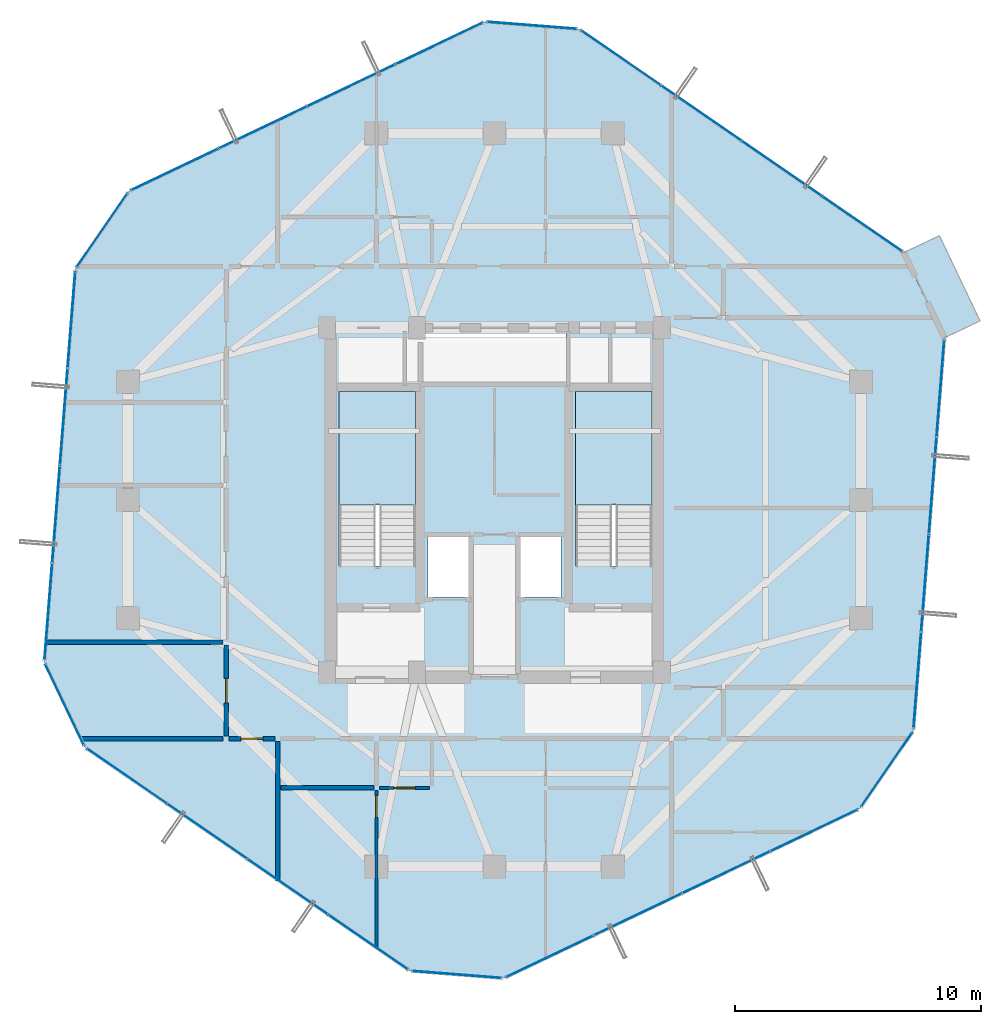
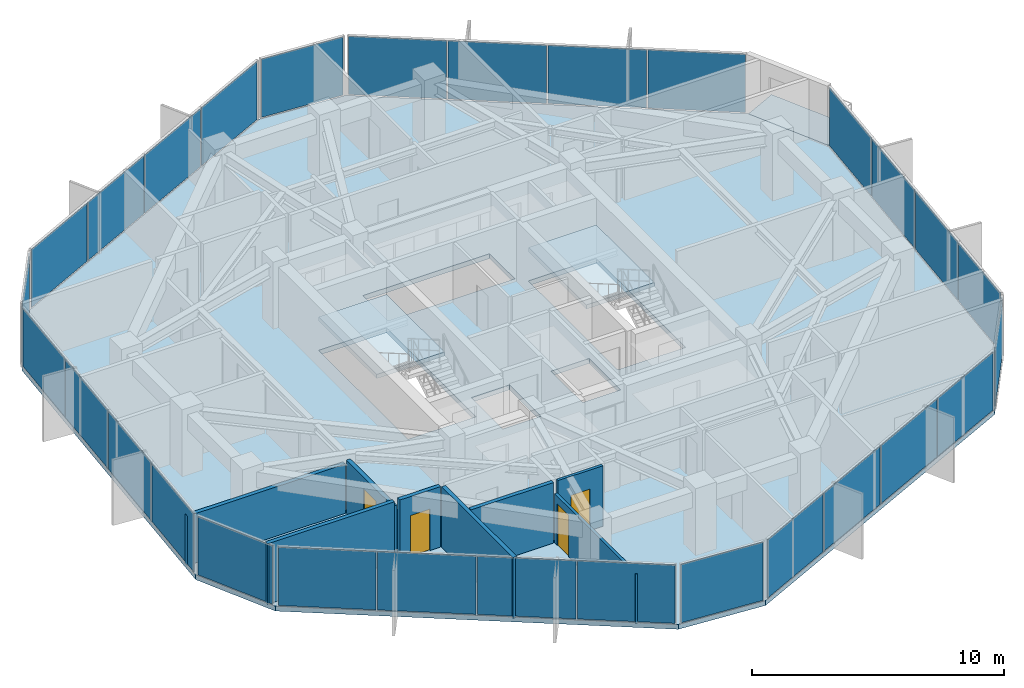
# One storey, part 24 of 29: 29 plates, 8 walls, 4 doors, 4 slabs, 4 openings, 13 elements without a shape of their own.
"""IFC4 building model written with IfcOpenShell, lengths in metres."""

from ifc_helpers import new_model, si_unit, direction, frame, frame_2d, origin, origin_2d, place, context, subcontext, project, spatial, polyline, rectangle, outline, extrude, source, transform, mapped, material, layer, layer_set, type_object, element, fill, aggregate, save


model = new_model("IFC4")

# Units and contexts
model_context = context("Model", 3, precision=1e-05, world=origin(), true_north=direction((0.0, 1.0)))
body_context = subcontext(model_context, "Body", "Model", "MODEL_VIEW")
ifc_project = project(units=[si_unit("LENGTHUNIT", "METRE"), si_unit("AREAUNIT", "SQUARE_METRE"), si_unit("VOLUMEUNIT", "CUBIC_METRE"), si_unit("PLANEANGLEUNIT", "RADIAN"), si_unit("MASSUNIT", "GRAM", prefix="KILO")], contexts=[model_context])

# Site, building, storey
site_placement = place(None, origin())
site = spatial("IfcSite", under=ifc_project, at=site_placement, CompositionType="ELEMENT")
building_placement = place(site_placement, origin())
building = spatial("IfcBuilding", under=site, at=building_placement, Name="Veraguas Prism Commons", CompositionType="ELEMENT")
storey_placement = place(building_placement, frame((0.0, 0.0, 222.14990234375)))
storey = spatial("IfcBuildingStorey", under=building, at=storey_placement, Name="L63", CompositionType="ELEMENT", Elevation=222.14990234375)

# Stair, slab
ifc_material_1 = material(Name="Precast concrete C45/55", Category="concrete")
stair_type = type_object("IfcStairType", Name="Dogleg Core Stair 1480W 20R 05", PredefinedType="HALF_TURN_STAIR", material=ifc_material_1)
stair_1_placement = place(storey_placement, origin())
stair_1 = element("IfcStair", 1, at=stair_1_placement, inside=storey, type_object=stair_type, Name="Protected Exit Stair ST-01 L63", PredefinedType="HALF_TURN_STAIR")
ifc_layer_1 = layer(ifc_material_1, 0.199951171875, Name="Precast Stair and Ramp Landing Slab 200", Category="concrete")
ifc_layer_set_1 = layer_set([ifc_layer_1], Name="Precast concrete C45/55")
slab_type_1 = type_object("IfcSlabType", Name="Precast Stair and Ramp Landing Slab 200", PredefinedType="LANDING", material=ifc_layer_set_1)
slab_1_placement = place(storey_placement, frame((0.0, 0.0, 1.425048828125)))
slab_1 = element("IfcSlab", 2, at=slab_1_placement, type_object=slab_type_1, Name="ST-05 Landing 1", PredefinedType="LANDING", context=body_context, shape_type="SweptSolid", body=[
    extrude(outline(polyline([(20.800048828125, 23.800048828125), (20.800048828125, 28.39990234375), (17.68994140625, 28.39990234375), (17.68994140625, 23.800048828125), (20.800048828125, 23.800048828125)])), origin(), (0.0, 0.0, 1.0), 0.199951171875),
])
aggregate(stair_1, [slab_1])

stair_2_placement = place(storey_placement, origin())
stair_2 = element("IfcStair", 3, at=stair_2_placement, inside=storey, type_object=stair_type, Name="Protected Exit Stair ST-02 L63", PredefinedType="HALF_TURN_STAIR")
slab_2_placement = place(storey_placement, frame((0.0, 0.0, 1.425048828125)))
slab_2 = element("IfcSlab", 4, at=slab_2_placement, type_object=slab_type_1, Name="ST-05 Landing 1", PredefinedType="LANDING", context=body_context, shape_type="SweptSolid", body=[
    extrude(outline(polyline([(30.39990234375, 23.800048828125), (30.39990234375, 28.39990234375), (27.2900390625, 28.39990234375), (27.2900390625, 23.800048828125), (30.39990234375, 23.800048828125)])), origin(), (0.0, 0.0, 1.0), 0.199951171875),
])
aggregate(stair_2, [slab_2])

# Slabs
ifc_material_2 = material(Name="Concrete C45/55", Category="concrete")
ifc_layer_2 = layer(ifc_material_2, 0.219970703125, Name="Recessed Loggia and Terrace Slab RC 220", Category="concrete")
ifc_layer_set_2 = layer_set([ifc_layer_2], Name="Concrete C45/55")
slab_type_2 = type_object("IfcSlabType", Name="Recessed Loggia and Terrace Slab RC 220", PredefinedType="FLOOR", material=ifc_layer_set_2)
slab_3_placement = place(storey_placement, frame((0.0, 0.0, -0.219970703125)))
element("IfcSlab", 5, at=slab_3_placement, inside=storey, type_object=slab_type_2, Name="Recessed Corner Loggia L63-C1", PredefinedType="FLOOR", context=body_context, shape_type="SweptSolid", body=[
    extrude(outline(polyline([(42.268310546875, 30.58203125), (43.73095703125, 31.27880859375), (42.081298828125, 34.740234375), (40.618896484375, 34.04345703125), (42.268310546875, 30.58203125)])), origin(), (0.0, 0.0, 1.0), 0.219970703125),
])
ifc_layer_3 = layer(ifc_material_2, 0.235107421875, Name="Tower Upper Residential Floor Slab RC 235", Category="concrete")
ifc_layer_set_3 = layer_set([ifc_layer_3], Name="Concrete C45/55")
slab_type_3 = type_object("IfcSlabType", Name="Tower Upper Residential Floor Slab RC 235", PredefinedType="FLOOR", material=ifc_layer_set_3)
slab_4_placement = place(storey_placement, frame((0.0, 0.0, -0.23486328125)))
element("IfcSlab", 6, at=slab_4_placement, inside=storey, type_object=slab_type_3, Name="Tower Floor Slab L63", PredefinedType="FLOOR", context=body_context, shape_type="SweptSolid", body=[
    extrude(outline(polyline([(42.28662109375, 30.590576171875), (40.636962890625, 34.052001953125), (27.435546875, 43.1318359375), (23.613037109375, 43.43408203125), (9.149169921875, 36.541259765625), (6.976318359375, 33.382080078125), (5.71337890625, 17.409423828125), (7.363037109375, 13.947998046875), (20.564453125, 4.8681640625), (24.386962890625, 4.56591796875), (38.850830078125, 11.458740234375), (41.023681640625, 14.617919921875), (42.28662109375, 30.590576171875)]), holes=[polyline([(20.800048828125, 21.31005859375), (20.800048828125, 28.39990234375), (17.68994140625, 28.39990234375), (17.68994140625, 21.31005859375), (20.800048828125, 21.31005859375)]), polyline([(30.39990234375, 21.31005859375), (30.39990234375, 28.39990234375), (27.2900390625, 28.39990234375), (27.2900390625, 21.31005859375), (30.39990234375, 21.31005859375)]), polyline([(21.10009765625, 28.800048828125), (26.89990234375, 28.800048828125), (26.89990234375, 30.800048828125), (21.10009765625, 30.800048828125), (21.10009765625, 28.800048828125)]), polyline([(21.300048828125, 20.050048828125), (23.050048828125, 20.050048828125), (23.050048828125, 22.550048828125), (21.300048828125, 22.550048828125), (21.300048828125, 20.050048828125)]), polyline([(24.949951171875, 20.050048828125), (26.699951171875, 20.050048828125), (26.699951171875, 22.550048828125), (24.949951171875, 22.550048828125), (24.949951171875, 20.050048828125)])]), origin(), (0.0, 0.0, 1.0), 0.23486328125),
])

# Curtain wall, plates
ifc_material_3 = material(Name="Anodised aluminium EN AW-6063 T6", Category="aluminium")
ifc_layer_4 = layer(ifc_material_3, 0.14990234375, Name="Unitised Flush Curtain Wall Zone 3", Category="aluminium")
ifc_layer_set_4 = layer_set([ifc_layer_4], Name="Anodised aluminium EN AW-6063 T6")
curtain_wall_type = type_object("IfcCurtainWallType", Name="Unitised Flush Curtain Wall Zone 3", PredefinedType="NOTDEFINED", material=ifc_layer_set_4)
curtain_wall_1_placement = place(storey_placement, origin())
curtain_wall_1 = element("IfcCurtainWall", 7, at=curtain_wall_1_placement, inside=storey, type_object=curtain_wall_type, Name="Tower Facade Curtain Wall L63-F1", PredefinedType="NOTDEFINED")
ifc_material_4 = material(Name="Laminated low-e glass", Category="glass")
ifc_layer_5 = layer(ifc_material_4, 0.028076171875, Name="Unitised Double Low-E Glazed Panel 28", Category="glass")
ifc_layer_set_5 = layer_set([ifc_layer_5], Name="Laminated low-e glass")
plate_type = type_object("IfcPlateType", Name="Unitised Double Low-E Glazed Panel 28", PredefinedType="CURTAIN_PANEL", material=ifc_layer_set_5)
shared_shape_1 = source(origin(), body_context, "Body", "SweptSolid", [
    extrude(rectangle(XDim=3.8857421875, YDim=0.028076171875, at=origin_2d()), origin(), (0.0, 0.0, 1.0), 2.820068359375),
])
plate_1_placement = place(storey_placement, frame((38.937255859375, 35.220947265625, 0.05517578125), z_axis=(0.0, 0.0, 1.0), x_axis=(-0.823926447203, 0.56669675277, 0.0)))
plate_1 = element("IfcPlate", 8, at=plate_1_placement, type_object=plate_type, Name="CW-Z3 Panel 1.1", PredefinedType="CURTAIN_PANEL", context=body_context, shape_type="MappedRepresentation", body=[
    mapped(shared_shape_1, transform((0.0, 0.0, 0.0), scale=1.0)),
])
plate_2_placement = place(storey_placement, frame((29.13525390625, 41.962890625, 0.05517578125), z_axis=(0.0, 0.0, 1.0), x_axis=(-0.823926447203, 0.56669675277, 0.0)))
plate_2 = element("IfcPlate", 9, at=plate_2_placement, type_object=plate_type, Name="CW-Z3 Panel 4.1", PredefinedType="CURTAIN_PANEL", context=body_context, shape_type="MappedRepresentation", body=[
    mapped(shared_shape_1, transform((0.0, 0.0, 0.0), scale=1.0)),
])

curtain_wall_2_placement = place(storey_placement, origin())
curtain_wall_2 = element("IfcCurtainWall", 10, at=curtain_wall_2_placement, inside=storey, type_object=curtain_wall_type, Name="Tower Facade Curtain Wall L63-F4", PredefinedType="NOTDEFINED")
plate_3_placement = place(storey_placement, frame((9.062744140625, 12.779052734375, 0.05517578125), z_axis=(0.0, 0.0, 1.0), x_axis=(0.823926447203, -0.56669675277, 0.0)))
plate_3 = element("IfcPlate", 11, at=plate_3_placement, type_object=plate_type, Name="CW-Z3 Panel 1.1", PredefinedType="CURTAIN_PANEL", context=body_context, shape_type="MappedRepresentation", body=[
    mapped(shared_shape_1, transform((0.0, 0.0, 0.0), scale=1.0)),
])
plate_4_placement = place(storey_placement, frame((18.86474609375, 6.037109375, 0.05517578125), z_axis=(0.0, 0.0, 1.0), x_axis=(0.823926447203, -0.56669675277, 0.0)))
plate_4 = element("IfcPlate", 12, at=plate_4_placement, type_object=plate_type, Name="CW-Z3 Panel 4.1", PredefinedType="CURTAIN_PANEL", context=body_context, shape_type="MappedRepresentation", body=[
    mapped(shared_shape_1, transform((0.0, 0.0, 0.0), scale=1.0)),
])

# Plate
shared_shape_2 = source(origin(), body_context, "Body", "SweptSolid", [
    extrude(rectangle(XDim=3.91552734375, YDim=0.028076171875, at=origin_2d()), origin(), (0.0, 0.0, 1.0), 2.820068359375),
])
plate_5_placement = place(storey_placement, frame((35.674072265625, 37.465576171875, 0.05517578125), z_axis=(0.0, 0.0, 1.0), x_axis=(-0.823926447203, 0.56669675277, 0.0)))
plate_5 = element("IfcPlate", 13, at=plate_5_placement, type_object=plate_type, Name="CW-Z3 Panel 2.1", PredefinedType="CURTAIN_PANEL", context=body_context, shape_type="MappedRepresentation", body=[
    mapped(shared_shape_2, transform((0.0, 0.0, 0.0), scale=1.0)),
])

plate_6_placement = place(storey_placement, frame((32.3984375, 39.718505859375, 0.05517578125), z_axis=(0.0, 0.0, 1.0), x_axis=(-0.823926447203, 0.56669675277, 0.0)))
plate_6 = element("IfcPlate", 14, at=plate_6_placement, type_object=plate_type, Name="CW-Z3 Panel 3.1", PredefinedType="CURTAIN_PANEL", context=body_context, shape_type="MappedRepresentation", body=[
    mapped(shared_shape_2, transform((0.0, 0.0, 0.0), scale=1.0)),
])

aggregate(curtain_wall_1, [plate_1, plate_5, plate_6, plate_2])

# Curtain wall, plates
curtain_wall_3_placement = place(storey_placement, origin())
curtain_wall_3 = element("IfcCurtainWall", 15, at=curtain_wall_3_placement, inside=storey, type_object=curtain_wall_type, Name="Tower Facade Curtain Wall L63-F2", PredefinedType="NOTDEFINED")
plate_7_placement = place(storey_placement, frame((18.175537109375, 40.8427734375, 0.05517578125), z_axis=(0.0, 0.0, 1.0), x_axis=(-0.902733253567, -0.430200735593, 0.0)))
plate_7 = element("IfcPlate", 16, at=plate_7_placement, type_object=plate_type, Name="CW-Z3 Panel 2.1", PredefinedType="CURTAIN_PANEL", context=body_context, shape_type="MappedRepresentation", body=[
    mapped(shared_shape_2, transform((0.0, 0.0, 0.0), scale=1.0)),
])
plate_8_placement = place(storey_placement, frame((14.586669921875, 39.132568359375, 0.05517578125), z_axis=(0.0, 0.0, 1.0), x_axis=(-0.902733253567, -0.430200735593, 0.0)))
plate_8 = element("IfcPlate", 17, at=plate_8_placement, type_object=plate_type, Name="CW-Z3 Panel 3.1", PredefinedType="CURTAIN_PANEL", context=body_context, shape_type="MappedRepresentation", body=[
    mapped(shared_shape_2, transform((0.0, 0.0, 0.0), scale=1.0)),
])

curtain_wall_4_placement = place(storey_placement, origin())
curtain_wall_4 = element("IfcCurtainWall", 18, at=curtain_wall_4_placement, inside=storey, type_object=curtain_wall_type, Name="Tower Facade Curtain Wall L63-F3", PredefinedType="NOTDEFINED")
plate_9_placement = place(storey_placement, frame((6.50146484375, 27.37744140625, 0.05517578125), z_axis=(0.0, 0.0, 1.0), x_axis=(-0.07881230044, -0.99688947296, 0.0)))
plate_9 = element("IfcPlate", 19, at=plate_9_placement, type_object=plate_type, Name="CW-Z3 Panel 2.1", PredefinedType="CURTAIN_PANEL", context=body_context, shape_type="MappedRepresentation", body=[
    mapped(shared_shape_2, transform((0.0, 0.0, 0.0), scale=1.0)),
])
plate_10_placement = place(storey_placement, frame((6.188232421875, 23.4140625, 0.05517578125), z_axis=(0.0, 0.0, 1.0), x_axis=(-0.07881230044, -0.99688947296, 0.0)))
plate_10 = element("IfcPlate", 20, at=plate_10_placement, type_object=plate_type, Name="CW-Z3 Panel 3.1", PredefinedType="CURTAIN_PANEL", context=body_context, shape_type="MappedRepresentation", body=[
    mapped(shared_shape_2, transform((0.0, 0.0, 0.0), scale=1.0)),
])

# Plate
plate_11_placement = place(storey_placement, frame((12.325927734375, 10.534423828125, 0.05517578125), z_axis=(0.0, 0.0, 1.0), x_axis=(0.823926447203, -0.56669675277, 0.0)))
plate_11 = element("IfcPlate", 21, at=plate_11_placement, type_object=plate_type, Name="CW-Z3 Panel 2.1", PredefinedType="CURTAIN_PANEL", context=body_context, shape_type="MappedRepresentation", body=[
    mapped(shared_shape_2, transform((0.0, 0.0, 0.0), scale=1.0)),
])

plate_12_placement = place(storey_placement, frame((15.6015625, 8.281494140625, 0.05517578125), z_axis=(0.0, 0.0, 1.0), x_axis=(0.823926447203, -0.56669675277, 0.0)))
plate_12 = element("IfcPlate", 22, at=plate_12_placement, type_object=plate_type, Name="CW-Z3 Panel 3.1", PredefinedType="CURTAIN_PANEL", context=body_context, shape_type="MappedRepresentation", body=[
    mapped(shared_shape_2, transform((0.0, 0.0, 0.0), scale=1.0)),
])

aggregate(curtain_wall_2, [plate_3, plate_11, plate_12, plate_4])

# Curtain wall, plates
curtain_wall_5_placement = place(storey_placement, origin())
curtain_wall_5 = element("IfcCurtainWall", 23, at=curtain_wall_5_placement, inside=storey, type_object=curtain_wall_type, Name="Tower Facade Curtain Wall L63-F5", PredefinedType="NOTDEFINED")
plate_13_placement = place(storey_placement, frame((29.824462890625, 7.1572265625, 0.05517578125), z_axis=(0.0, 0.0, 1.0), x_axis=(0.902733253567, 0.430200735593, 0.0)))
plate_13 = element("IfcPlate", 24, at=plate_13_placement, type_object=plate_type, Name="CW-Z3 Panel 2.1", PredefinedType="CURTAIN_PANEL", context=body_context, shape_type="MappedRepresentation", body=[
    mapped(shared_shape_2, transform((0.0, 0.0, 0.0), scale=1.0)),
])
plate_14_placement = place(storey_placement, frame((33.413330078125, 8.867431640625, 0.05517578125), z_axis=(0.0, 0.0, 1.0), x_axis=(0.902733253567, 0.430200735593, 0.0)))
plate_14 = element("IfcPlate", 25, at=plate_14_placement, type_object=plate_type, Name="CW-Z3 Panel 3.1", PredefinedType="CURTAIN_PANEL", context=body_context, shape_type="MappedRepresentation", body=[
    mapped(shared_shape_2, transform((0.0, 0.0, 0.0), scale=1.0)),
])

curtain_wall_6_placement = place(storey_placement, origin())
curtain_wall_6 = element("IfcCurtainWall", 26, at=curtain_wall_6_placement, inside=storey, type_object=curtain_wall_type, Name="Tower Facade Curtain Wall L63-F6", PredefinedType="NOTDEFINED")
plate_15_placement = place(storey_placement, frame((41.49853515625, 20.62255859375, 0.05517578125), z_axis=(0.0, 0.0, 1.0), x_axis=(0.07881230044, 0.99688947296, 0.0)))
plate_15 = element("IfcPlate", 27, at=plate_15_placement, type_object=plate_type, Name="CW-Z3 Panel 2.1", PredefinedType="CURTAIN_PANEL", context=body_context, shape_type="MappedRepresentation", body=[
    mapped(shared_shape_2, transform((0.0, 0.0, 0.0), scale=1.0)),
])
plate_16_placement = place(storey_placement, frame((41.811767578125, 24.5859375, 0.05517578125), z_axis=(0.0, 0.0, 1.0), x_axis=(0.07881230044, 0.99688947296, 0.0)))
plate_16 = element("IfcPlate", 28, at=plate_16_placement, type_object=plate_type, Name="CW-Z3 Panel 3.1", PredefinedType="CURTAIN_PANEL", context=body_context, shape_type="MappedRepresentation", body=[
    mapped(shared_shape_2, transform((0.0, 0.0, 0.0), scale=1.0)),
])

# Plate
shared_shape_3 = source(origin(), body_context, "Body", "SweptSolid", [
    extrude(rectangle(XDim=3.885498046875, YDim=0.028076171875, at=origin_2d()), origin(), (0.0, 0.0, 1.0), 2.820068359375),
])
plate_17_placement = place(storey_placement, frame((21.7509765625, 42.546630859375, 0.05517578125), z_axis=(0.0, 0.0, 1.0), x_axis=(-0.902733253567, -0.430200735593, 0.0)))
plate_17 = element("IfcPlate", 29, at=plate_17_placement, type_object=plate_type, Name="CW-Z3 Panel 1.1", PredefinedType="CURTAIN_PANEL", context=body_context, shape_type="MappedRepresentation", body=[
    mapped(shared_shape_3, transform((0.0, 0.0, 0.0), scale=1.0)),
])

plate_18_placement = place(storey_placement, frame((11.01123046875, 37.4287109375, 0.05517578125), z_axis=(0.0, 0.0, 1.0), x_axis=(-0.902733253567, -0.430200735593, 0.0)))
plate_18 = element("IfcPlate", 30, at=plate_18_placement, type_object=plate_type, Name="CW-Z3 Panel 4.1", PredefinedType="CURTAIN_PANEL", context=body_context, shape_type="MappedRepresentation", body=[
    mapped(shared_shape_3, transform((0.0, 0.0, 0.0), scale=1.0)),
])

aggregate(curtain_wall_3, [plate_17, plate_7, plate_8, plate_18])

plate_19_placement = place(storey_placement, frame((6.813720703125, 31.32568359375, 0.05517578125), z_axis=(0.0, 0.0, 1.0), x_axis=(-0.07881230044, -0.99688947296, 0.0)))
plate_19 = element("IfcPlate", 31, at=plate_19_placement, type_object=plate_type, Name="CW-Z3 Panel 1.1", PredefinedType="CURTAIN_PANEL", context=body_context, shape_type="MappedRepresentation", body=[
    mapped(shared_shape_3, transform((0.0, 0.0, 0.0), scale=1.0)),
])

plate_20_placement = place(storey_placement, frame((5.8759765625, 19.4658203125, 0.05517578125), z_axis=(0.0, 0.0, 1.0), x_axis=(-0.07881230044, -0.99688947296, 0.0)))
plate_20 = element("IfcPlate", 32, at=plate_20_placement, type_object=plate_type, Name="CW-Z3 Panel 4.1", PredefinedType="CURTAIN_PANEL", context=body_context, shape_type="MappedRepresentation", body=[
    mapped(shared_shape_3, transform((0.0, 0.0, 0.0), scale=1.0)),
])

aggregate(curtain_wall_4, [plate_19, plate_9, plate_10, plate_20])

plate_21_placement = place(storey_placement, frame((26.2490234375, 5.453369140625, 0.05517578125), z_axis=(0.0, 0.0, 1.0), x_axis=(0.902733253567, 0.430200735593, 0.0)))
plate_21 = element("IfcPlate", 33, at=plate_21_placement, type_object=plate_type, Name="CW-Z3 Panel 1.1", PredefinedType="CURTAIN_PANEL", context=body_context, shape_type="MappedRepresentation", body=[
    mapped(shared_shape_3, transform((0.0, 0.0, 0.0), scale=1.0)),
])

plate_22_placement = place(storey_placement, frame((36.98876953125, 10.5712890625, 0.05517578125), z_axis=(0.0, 0.0, 1.0), x_axis=(0.902733253567, 0.430200735593, 0.0)))
plate_22 = element("IfcPlate", 34, at=plate_22_placement, type_object=plate_type, Name="CW-Z3 Panel 4.1", PredefinedType="CURTAIN_PANEL", context=body_context, shape_type="MappedRepresentation", body=[
    mapped(shared_shape_3, transform((0.0, 0.0, 0.0), scale=1.0)),
])

aggregate(curtain_wall_5, [plate_21, plate_13, plate_14, plate_22])

plate_23_placement = place(storey_placement, frame((41.186279296875, 16.67431640625, 0.05517578125), z_axis=(0.0, 0.0, 1.0), x_axis=(0.07881230044, 0.99688947296, 0.0)))
plate_23 = element("IfcPlate", 35, at=plate_23_placement, type_object=plate_type, Name="CW-Z3 Panel 1.1", PredefinedType="CURTAIN_PANEL", context=body_context, shape_type="MappedRepresentation", body=[
    mapped(shared_shape_3, transform((0.0, 0.0, 0.0), scale=1.0)),
])

plate_24_placement = place(storey_placement, frame((42.1240234375, 28.5341796875, 0.05517578125), z_axis=(0.0, 0.0, 1.0), x_axis=(0.07881230044, 0.99688947296, 0.0)))
plate_24 = element("IfcPlate", 36, at=plate_24_placement, type_object=plate_type, Name="CW-Z3 Panel 4.1", PredefinedType="CURTAIN_PANEL", context=body_context, shape_type="MappedRepresentation", body=[
    mapped(shared_shape_3, transform((0.0, 0.0, 0.0), scale=1.0)),
])

aggregate(curtain_wall_6, [plate_23, plate_15, plate_16, plate_24])

# Curtain wall, plate
curtain_wall_7_placement = place(storey_placement, origin())
curtain_wall_7 = element("IfcCurtainWall", 37, at=curtain_wall_7_placement, inside=storey, type_object=curtain_wall_type, Name="Chamfer Curtain Wall L63-C2", PredefinedType="NOTDEFINED")
shared_shape_4 = source(origin(), body_context, "Body", "SweptSolid", [
    extrude(rectangle(XDim=3.594482421875, YDim=0.028076171875, at=origin_2d()), origin(), (0.0, 0.0, 1.0), 2.820068359375),
])
plate_25_placement = place(storey_placement, frame((25.5244140625, 43.282958984375, 0.05517578125), z_axis=(0.0, 0.0, 1.0), x_axis=(-0.99689043576, 0.078800121131, 0.0)))
plate_25 = element("IfcPlate", 38, at=plate_25_placement, type_object=plate_type, Name="CW-Z3 Panel 1.1", PredefinedType="CURTAIN_PANEL", context=body_context, shape_type="MappedRepresentation", body=[
    mapped(shared_shape_4, transform((0.0, 0.0, 0.0), scale=1.0)),
])
aggregate(curtain_wall_7, [plate_25])

curtain_wall_8_placement = place(storey_placement, origin())
curtain_wall_8 = element("IfcCurtainWall", 39, at=curtain_wall_8_placement, inside=storey, type_object=curtain_wall_type, Name="Chamfer Curtain Wall L63-C3", PredefinedType="NOTDEFINED")
plate_26_placement = place(storey_placement, frame((8.062744140625, 34.961669921875, 0.05517578125), z_axis=(0.0, 0.0, 1.0), x_axis=(-0.566688124601, -0.823932381592, 0.0)))
plate_26 = element("IfcPlate", 40, at=plate_26_placement, type_object=plate_type, Name="CW-Z3 Panel 1.1", PredefinedType="CURTAIN_PANEL", context=body_context, shape_type="MappedRepresentation", body=[
    mapped(shared_shape_4, transform((0.0, 0.0, 0.0), scale=1.0)),
])
aggregate(curtain_wall_8, [plate_26])

curtain_wall_9_placement = place(storey_placement, origin())
curtain_wall_9 = element("IfcCurtainWall", 41, at=curtain_wall_9_placement, inside=storey, type_object=curtain_wall_type, Name="Chamfer Curtain Wall L63-C5", PredefinedType="NOTDEFINED")
plate_27_placement = place(storey_placement, frame((22.4755859375, 4.717041015625, 0.05517578125), z_axis=(0.0, 0.0, 1.0), x_axis=(0.99689043576, -0.078800121131, 0.0)))
plate_27 = element("IfcPlate", 42, at=plate_27_placement, type_object=plate_type, Name="CW-Z3 Panel 1.1", PredefinedType="CURTAIN_PANEL", context=body_context, shape_type="MappedRepresentation", body=[
    mapped(shared_shape_4, transform((0.0, 0.0, 0.0), scale=1.0)),
])
aggregate(curtain_wall_9, [plate_27])

curtain_wall_10_placement = place(storey_placement, origin())
curtain_wall_10 = element("IfcCurtainWall", 43, at=curtain_wall_10_placement, inside=storey, type_object=curtain_wall_type, Name="Chamfer Curtain Wall L63-C6", PredefinedType="NOTDEFINED")
plate_28_placement = place(storey_placement, frame((39.937255859375, 13.038330078125, 0.05517578125), z_axis=(0.0, 0.0, 1.0), x_axis=(0.566688124601, 0.823932381592, 0.0)))
plate_28 = element("IfcPlate", 44, at=plate_28_placement, type_object=plate_type, Name="CW-Z3 Panel 1.1", PredefinedType="CURTAIN_PANEL", context=body_context, shape_type="MappedRepresentation", body=[
    mapped(shared_shape_4, transform((0.0, 0.0, 0.0), scale=1.0)),
])
aggregate(curtain_wall_10, [plate_28])

curtain_wall_11_placement = place(storey_placement, origin())
curtain_wall_11 = element("IfcCurtainWall", 45, at=curtain_wall_11_placement, inside=storey, type_object=curtain_wall_type, Name="Chamfer Curtain Wall L63-C4", PredefinedType="NOTDEFINED")
shared_shape_5 = source(origin(), body_context, "Body", "SweptSolid", [
    extrude(rectangle(XDim=3.59423828125, YDim=0.028076171875, at=origin_2d()), origin(), (0.0, 0.0, 1.0), 2.820068359375),
])
plate_29_placement = place(storey_placement, frame((6.538330078125, 15.6787109375, 0.05517578125), z_axis=(0.0, 0.0, 1.0), x_axis=(0.430225944493, -0.902721239744, 0.0)))
plate_29 = element("IfcPlate", 46, at=plate_29_placement, type_object=plate_type, Name="CW-Z3 Panel 1.1", PredefinedType="CURTAIN_PANEL", context=body_context, shape_type="MappedRepresentation", body=[
    mapped(shared_shape_5, transform((0.0, 0.0, 0.0), scale=1.0)),
])
aggregate(curtain_wall_11, [plate_29])

# Walls
ifc_material_5 = material(Name="Autoclaved aerated masonry block 10 MPa", Category="masonry")
ifc_layer_6 = layer(ifc_material_5, 0.179931640625, Name="Corridor and Inter-Tenancy Partition 180", Category="masonry")
ifc_layer_set_6 = layer_set([ifc_layer_6], Name="Autoclaved aerated masonry block 10 MPa")
wall_type_1 = type_object("IfcWallType", Name="Corridor and Inter-Tenancy Partition 180", PredefinedType="PARTITIONING", material=ifc_layer_set_6)
wall_1_placement = place(storey_placement, frame((15.199951171875, 14.179931640625, 0.0), z_axis=(0.0, 0.0, 1.0), x_axis=(0.0, -1.0, 0.0)))
element("IfcWall", 47, at=wall_1_placement, inside=storey, type_object=wall_type_1, Name="WL-L63-PT001", PredefinedType="PARTITIONING", context=body_context, shape_type="SweptSolid", body=[
    extrude(rectangle(XDim=5.65869140625, YDim=0.179931640625, at=frame_2d((2.829345703125, 0.0))), origin(), (0.0, 0.0, 1.0), 2.93017578125),
])
wall_2_placement = place(storey_placement, frame((15.320068359375, 12.300048828125, 0.0), z_axis=(0.0, 0.0, 1.0), x_axis=(1.0, 0.0, 0.0)))
element("IfcWall", 48, at=wall_2_placement, inside=storey, type_object=wall_type_1, Name="WL-L63-PT005", PredefinedType="PARTITIONING", context=body_context, shape_type="SweptSolid", body=[
    extrude(rectangle(XDim=3.780029296875, YDim=0.179931640625, at=frame_2d((1.89013671875, 0.0))), origin(), (0.0, 0.0, 1.0), 2.93017578125),
])
wall_3_placement = place(storey_placement, frame((12.97998046875, 14.300048828125, 0.0), z_axis=(0.0, 0.0, 1.0), x_axis=(-1.0, 0.0, 0.0)))
element("IfcWall", 49, at=wall_3_placement, inside=storey, type_object=wall_type_1, Name="WL-L63-PT025", PredefinedType="PARTITIONING", context=body_context, shape_type="SweptSolid", body=[
    extrude(rectangle(XDim=5.81787109375, YDim=0.179931640625, at=frame_2d((2.908935546875, 0.0))), origin(), (0.0, 0.0, 1.0), 2.93017578125),
])

# Wall, opening, door
wall_4_placement = place(storey_placement, frame((13.10009765625, 14.409912109375, 0.0), z_axis=(0.0, 0.0, 1.0), x_axis=(0.0, 1.0, 0.0)))
wall_4 = element("IfcWall", 50, at=wall_4_placement, inside=storey, type_object=wall_type_1, Name="WL-L63-PT027", PredefinedType="PARTITIONING", context=body_context, shape_type="SweptSolid", body=[
    extrude(rectangle(XDim=3.692138671875, YDim=0.179931640625, at=frame_2d((1.84619140625, 0.0))), origin(), (0.0, 0.0, 1.0), 2.5771484375),
])
opening_1_placement = place(wall_4_placement, frame((1.345947265625, 0.0, 0.0)))
opening_1 = element("IfcOpeningElement", 51, at=opening_1_placement, cuts=wall_4, Name="Opening DR-13", PredefinedType="OPENING", context=body_context, shape_type="SweptSolid", body=[
    extrude(rectangle(XDim=1.0, YDim=2.010009765625, at=frame_2d((0.5, 1.0048828125))), frame((0.0, 0.099853515625, 0.0), z_axis=(0.0, -1.0, 0.0), x_axis=(1.0, 0.0, 0.0)), (0.0, 0.0, 1.0), 0.199951171875),
])
ifc_material_6 = material(Name="Steel fire-rated door assembly", Category="steel")
door_type_1 = type_object("IfcDoorType", Name="Core Accessible WC and Clinic Fire Door 1000x2010", OperationType="NOTDEFINED", PredefinedType="DOOR", material=ifc_material_6)
shared_shape_6 = source(origin(), body_context, "Body", "SweptSolid", [
    extrude(rectangle(XDim=1.0, YDim=2.010009765625, at=frame_2d((0.5, 1.0048828125))), frame((0.0, 0.02490234375, 0.0), z_axis=(0.0, -1.0, 0.0), x_axis=(1.0, 0.0, 0.0)), (0.0, 0.0, 1.0), 0.050048828125),
])
door_1_placement = place(opening_1_placement, origin())
door_1 = element("IfcDoor", 52, at=door_1_placement, inside=storey, type_object=door_type_1, Name="Community Co-op Kitchen Door", OperationType="SINGLE_SWING_LEFT", OverallHeight=2.010009765625, OverallWidth=1.0, PredefinedType="DOOR", context=body_context, shape_type="MappedRepresentation", body=[
    mapped(shared_shape_6, transform((0.0, 0.0, 0.0), scale=1.0)),
])
fill(opening_1, door_1)

# Wall
wall_5_placement = place(storey_placement, frame((12.97998046875, 18.2119140625, 0.0), z_axis=(0.0, 0.0, 1.0), x_axis=(-1.0, 0.0, 0.0)))
element("IfcWall", 53, at=wall_5_placement, inside=storey, type_object=wall_type_1, Name="WL-L63-PT029", PredefinedType="PARTITIONING", context=body_context, shape_type="SweptSolid", body=[
    extrude(rectangle(XDim=7.233154296875, YDim=0.179931640625, at=frame_2d((3.61669921875, 0.0))), origin(), (0.0, 0.0, 1.0), 2.384033203125),
])

# Wall, opening, door
wall_6_placement = place(storey_placement, frame((13.219970703125, 14.300048828125, 0.0), z_axis=(0.0, 0.0, 1.0), x_axis=(1.0, 0.0, 0.0)))
wall_6 = element("IfcWall", 54, at=wall_6_placement, inside=storey, type_object=wall_type_1, Name="WL-L63-PT041", PredefinedType="PARTITIONING", context=body_context, shape_type="SweptSolid", body=[
    extrude(rectangle(XDim=1.860107421875, YDim=0.179931640625, at=frame_2d((0.93017578125, 0.0))), origin(), (0.0, 0.0, 1.0), 2.93017578125),
])
opening_2_placement = place(wall_6_placement, frame((0.47998046875, 0.0, 0.0)))
opening_2 = element("IfcOpeningElement", 55, at=opening_2_placement, cuts=wall_6, Name="Opening DR-14", PredefinedType="OPENING", context=body_context, shape_type="SweptSolid", body=[
    extrude(rectangle(XDim=0.89990234375, YDim=2.010009765625, at=frame_2d((0.449951171875, 1.0048828125))), frame((0.0, 0.099853515625, 0.0), z_axis=(0.0, -1.0, 0.0), x_axis=(1.0, 0.0, 0.0)), (0.0, 0.0, 1.0), 0.199951171875),
])
door_type_2 = type_object("IfcDoorType", Name="Core Service Room Fire Door 900x2010", OperationType="NOTDEFINED", PredefinedType="DOOR", material=ifc_material_6)
shared_shape_7 = source(origin(), body_context, "Body", "SweptSolid", [
    extrude(rectangle(XDim=0.89990234375, YDim=2.010009765625, at=frame_2d((0.449951171875, 1.0048828125))), frame((0.0, 0.02490234375, 0.0), z_axis=(0.0, -1.0, 0.0), x_axis=(1.0, 0.0, 0.0)), (0.0, 0.0, 1.0), 0.050048828125),
])
door_2_placement = place(opening_2_placement, origin())
door_2 = element("IfcDoor", 56, at=door_2_placement, inside=storey, type_object=door_type_2, Name="Residents Corner Study Room SW Door", OperationType="SINGLE_SWING_LEFT", OverallHeight=2.010009765625, OverallWidth=0.89990234375, PredefinedType="DOOR", context=body_context, shape_type="MappedRepresentation", body=[
    mapped(shared_shape_7, transform((0.0, 0.0, 0.0), scale=1.0)),
])
fill(opening_2, door_2)

ifc_material_7 = material(Name="Lightweight acoustic gypsum board")
ifc_layer_7 = layer(ifc_material_7, 0.125, Name="Internal Apartment Room Partition 125")
ifc_layer_set_7 = layer_set([ifc_layer_7], Name="Lightweight acoustic gypsum board")
wall_type_2 = type_object("IfcWallType", Name="Internal Apartment Room Partition 125", PredefinedType="PARTITIONING", material=ifc_layer_set_7)
wall_7_placement = place(storey_placement, frame((19.199951171875, 12.199951171875, 0.0), z_axis=(0.0, 0.0, 1.0), x_axis=(0.0, -1.0, 0.0)))
wall_7 = element("IfcWall", 57, at=wall_7_placement, inside=storey, type_object=wall_type_2, Name="WL-L63-PT007", PredefinedType="PARTITIONING", context=body_context, shape_type="SweptSolid", body=[
    extrude(rectangle(XDim=6.429931640625, YDim=0.125, at=frame_2d((3.21484375, 0.0))), origin(), (0.0, 0.0, 1.0), 2.384033203125),
])
opening_3_placement = place(wall_7_placement, frame((0.199951171875, 0.0, 0.0)))
opening_3 = element("IfcOpeningElement", 58, at=opening_3_placement, cuts=wall_7, Name="Opening DR-02", PredefinedType="OPENING", context=body_context, shape_type="SweptSolid", body=[
    extrude(rectangle(XDim=0.89990234375, YDim=2.010009765625, at=frame_2d((0.449951171875, 1.0048828125))), frame((0.0, 0.072509765625, 0.0), z_axis=(0.0, -1.0, 0.0), x_axis=(1.0, 0.0, 0.0)), (0.0, 0.0, 1.0), 0.14501953125),
])
ifc_material_8 = material(Name="Timber solid core hardwood", Category="wood")
door_type_3 = type_object("IfcDoorType", Name="Internal Habitable Room Door 900x2010", OperationType="NOTDEFINED", PredefinedType="DOOR", material=ifc_material_8)
door_3_placement = place(opening_3_placement, origin())
door_3 = element("IfcDoor", 59, at=door_3_placement, inside=storey, type_object=door_type_3, Name="Flat 63A Bedroom 2 Door", OperationType="SINGLE_SWING_LEFT", OverallHeight=2.010009765625, OverallWidth=0.89990234375, PredefinedType="DOOR", context=body_context, shape_type="MappedRepresentation", body=[
    mapped(shared_shape_7, transform((0.0, 0.0, 0.0), scale=1.0)),
])
fill(opening_3, door_3)

wall_8_placement = place(storey_placement, frame((19.320068359375, 12.300048828125, 0.0), z_axis=(0.0, 0.0, 1.0), x_axis=(1.0, 0.0, 0.0)))
wall_8 = element("IfcWall", 60, at=wall_8_placement, inside=storey, type_object=wall_type_2, Name="WL-L63-PT009", PredefinedType="PARTITIONING", context=body_context, shape_type="SweptSolid", body=[
    extrude(rectangle(XDim=2.050048828125, YDim=0.125, at=frame_2d((1.02490234375, 0.0))), origin(), (0.0, 0.0, 1.0), 2.93017578125),
])
opening_4_placement = place(wall_8_placement, frame((0.594970703125, 0.0, 0.0)))
opening_4 = element("IfcOpeningElement", 61, at=opening_4_placement, cuts=wall_8, Name="Opening DR-03", PredefinedType="OPENING", context=body_context, shape_type="SweptSolid", body=[
    extrude(rectangle(XDim=0.860107421875, YDim=2.010009765625, at=frame_2d((0.43017578125, 1.0048828125))), frame((0.0, 0.072509765625, 0.0), z_axis=(0.0, -1.0, 0.0), x_axis=(1.0, 0.0, 0.0)), (0.0, 0.0, 1.0), 0.14501953125),
])
ifc_material_9 = material(Name="Timber moisture-resistant leaf", Category="wood")
door_type_4 = type_object("IfcDoorType", Name="Internal Bathroom Door 860x2010", OperationType="NOTDEFINED", PredefinedType="DOOR", material=ifc_material_9)
shared_shape_8 = source(origin(), body_context, "Body", "SweptSolid", [
    extrude(rectangle(XDim=0.860107421875, YDim=2.010009765625, at=frame_2d((0.43017578125, 1.0048828125))), frame((0.0, 0.02490234375, 0.0), z_axis=(0.0, -1.0, 0.0), x_axis=(1.0, 0.0, 0.0)), (0.0, 0.0, 1.0), 0.050048828125),
])
door_4_placement = place(opening_4_placement, origin())
door_4 = element("IfcDoor", 62, at=door_4_placement, inside=storey, type_object=door_type_4, Name="Flat 63A Bathroom Door", OperationType="SINGLE_SWING_RIGHT", OverallHeight=2.010009765625, OverallWidth=0.860107421875, PredefinedType="DOOR", context=body_context, shape_type="MappedRepresentation", body=[
    mapped(shared_shape_8, transform((0.0, 0.0, 0.0), scale=1.0)),
])
fill(opening_4, door_4)

save(model, "model.ifc")
